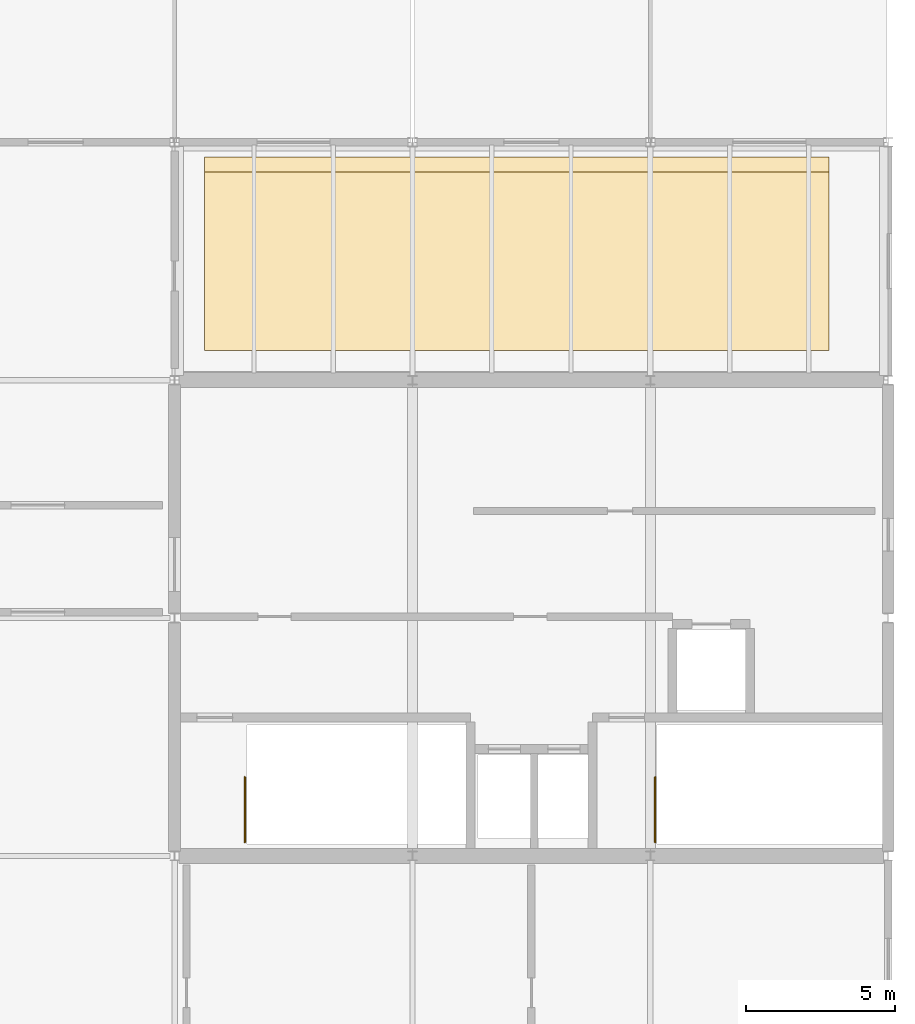
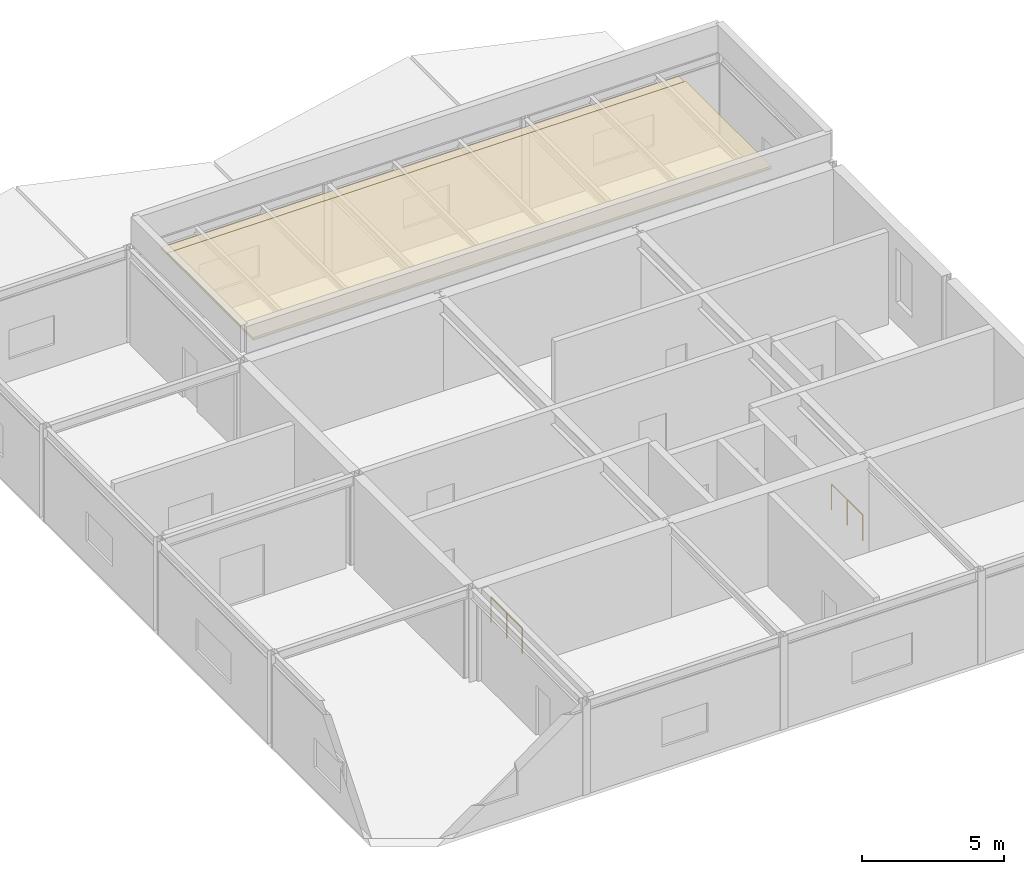
# One storey, part 7 of 7: 2 coverings, 2 railings.
"""IFC4 building model written with IfcOpenShell, lengths in metres."""

from ifc_helpers import new_model, si_unit, direction, frame, origin, origin_2d, place, context, subcontext, project, spatial, polyline, circle, outline, extrude, material, layer, layer_set, type_object, element, save


model = new_model("IFC4")

# Units and contexts
model_context = context("Model", 3, precision=1e-05, world=origin(), true_north=direction((0.0, 1.0)))
body_context = subcontext(model_context, "Body", "Model", "MODEL_VIEW")
ifc_project = project(units=[si_unit("LENGTHUNIT", "METRE"), si_unit("AREAUNIT", "SQUARE_METRE"), si_unit("VOLUMEUNIT", "CUBIC_METRE"), si_unit("PLANEANGLEUNIT", "RADIAN"), si_unit("MASSUNIT", "GRAM", prefix="KILO")], contexts=[model_context])

# Site, building, storey
site_placement = place(None, origin())
site = spatial("IfcSite", under=ifc_project, at=site_placement, CompositionType="ELEMENT")
building_placement = place(site_placement, origin())
building = spatial("IfcBuilding", under=site, at=building_placement, Name="Varnela Railside Interchange", CompositionType="ELEMENT")
storey_placement = place(building_placement, frame((0.0, 0.0, 36.39990234375)))
storey = spatial("IfcBuildingStorey", under=building, at=storey_placement, Name="L08", CompositionType="ELEMENT", Elevation=36.39990234375)

# Coverings
ifc_material_1 = material(Name="Concrete C40 precast", Category="concrete")
ifc_layer_1 = layer(ifc_material_1, 0.050048828125)
ifc_layer_set_1 = layer_set([ifc_layer_1], Name="Concrete C40 precast")
covering_type_1 = type_object("IfcCoveringType", Name="Board-Formed Concrete Cladding Liner CV-CLD", PredefinedType="CLADDING", material=ifc_layer_set_1)
covering_1_placement = place(storey_placement, frame((0.0, 0.0, 3.85009765625)))
element("IfcCovering", 1, at=covering_1_placement, inside=storey, type_object=covering_type_1, Name="Board-Formed Concrete Cladding Liner CV-CLD", PredefinedType="CLADDING", context=body_context, shape_type="SweptSolid", body=[
    extrude(outline(polyline([(13.0, 71.0), (34.0, 71.0), (34.0, 77.5), (13.0, 77.5), (13.0, 71.0)])), origin(), (0.0, 0.0, 1.0), 0.050048828125),
])
ifc_material_2 = material(Name="Mineral wool acoustic")
ifc_layer_2 = layer(ifc_material_2, 0.080078125)
ifc_layer_set_2 = layer_set([ifc_layer_2], Name="Mineral wool acoustic")
covering_type_2 = type_object("IfcCoveringType", Name="Mineral Wool Soffit Insulation CV-INS", PredefinedType="INSULATION", material=ifc_layer_set_2)
covering_2_placement = place(storey_placement, frame((0.0, 0.0, 3.900146484375)))
element("IfcCovering", 2, at=covering_2_placement, inside=storey, type_object=covering_type_2, Name="Mineral Wool Soffit Insulation CV-INS", PredefinedType="INSULATION", context=body_context, shape_type="SweptSolid", body=[
    extrude(outline(polyline([(13.0, 71.0), (34.0, 71.0), (34.0, 77.0), (13.0, 77.0), (13.0, 71.0)])), origin(), (0.0, 0.0, 1.0), 0.079833984375),
])

# Railings
ifc_material_3 = material(Name="Steel AR 350 (350 MPa)", Category="steel")
railing_type = type_object("IfcRailingType", Name="Stair Well & Landing Guard GR-02", PredefinedType="GUARDRAIL", material=ifc_material_3)
for number, where, name in (
    (3, (14.360107421875, 54.4599609375, 0.0), "Stair Well Arrival Guard ST-T1 on L08 (RL-0488)"),
    (4, (28.159912109375, 54.4599609375, 0.0), "Stair Well Arrival Guard ST-T2 on L08 (RL-0489)"),
):
    element("IfcRailing", number, at=place(storey_placement, frame(where)), inside=storey, type_object=railing_type, Name=name, PredefinedType="GUARDRAIL", context=body_context, shape_type="SweptSolid", body=[
        extrude(circle(Radius=0.02392578125, at=origin_2d()), frame((0.0, 0.0, 1.09619140625), z_axis=(0.0, 1.0, 0.0), x_axis=(-1.0, 0.0, 0.0)), (0.0, 0.0, 1.0), 2.18994140625),
        extrude(circle(Radius=0.02099609375, at=origin_2d()), origin(), (0.0, 0.0, 1.0), 1.072021484375),
        extrude(circle(Radius=0.02099609375, at=origin_2d()), frame((0.0, 1.094970703125, 0.0)), (0.0, 0.0, 1.0), 1.072021484375),
        extrude(circle(Radius=0.02099609375, at=origin_2d()), frame((0.0, 2.18994140625, 0.0)), (0.0, 0.0, 1.0), 1.072021484375),
    ])

save(model, "model.ifc")
